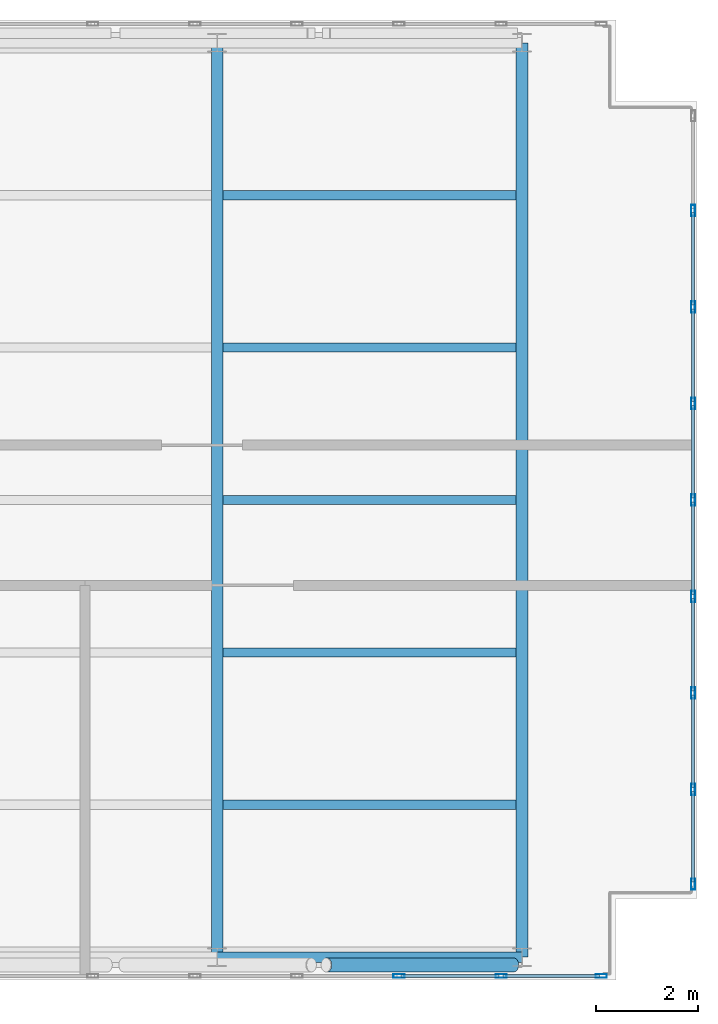
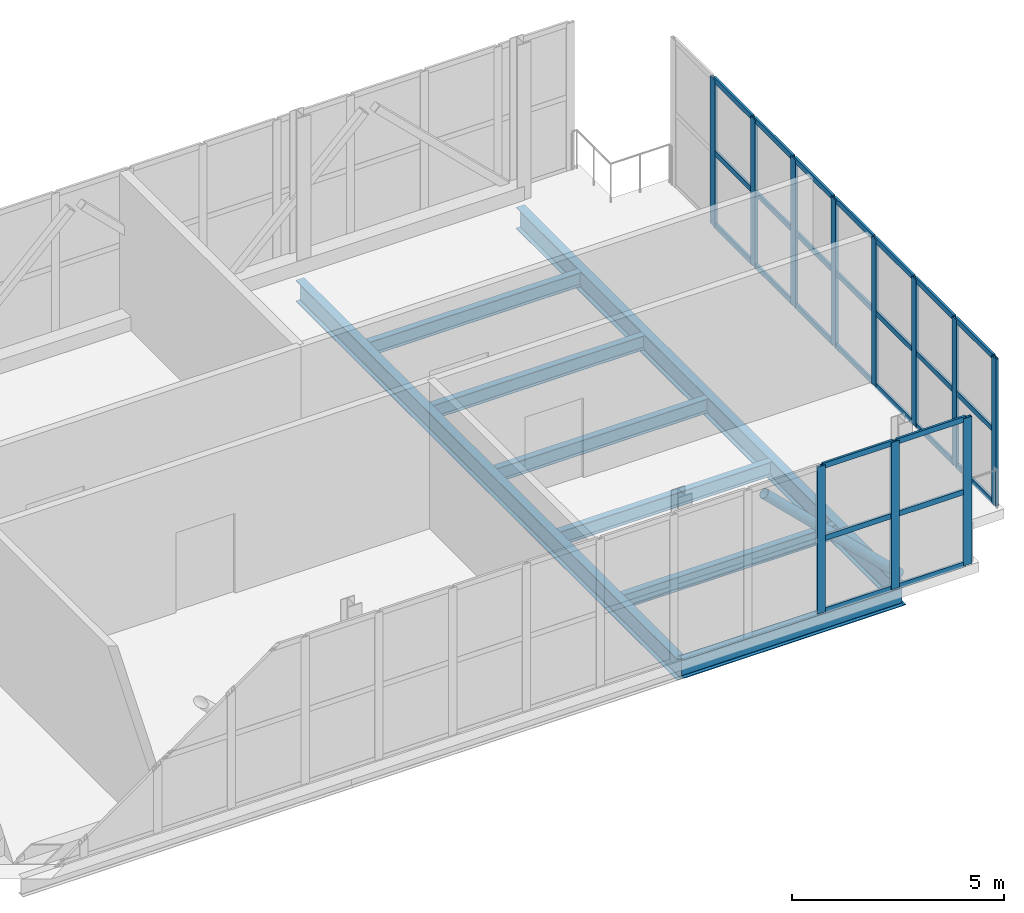
# One storey, part 14 of 21: 39 members, 8 beams, 2 elements without a shape of their own.
"""IFC4 building model written with IfcOpenShell, lengths in metres."""

import ifcopenshell
import ifcopenshell.guid

model = None  # the IFC model being written
_history = None  # IfcOwnerHistory: only IFC2X3 demands one
_inside = {}  # id of a spatial element -> (the spatial element, [elements in it])
_under = {}  # id of a project, library or spatial element -> (it, [spatial elements below it])
_declared = {}  # id of a project -> (the project, [libraries it declares])
_typed = {}  # id of a type object -> (the type object, [elements of that type])
_made_of = {}  # id of a material, layer set ... -> (it, [elements and type objects made of it])


def new_model(schema):
    """Start an empty IFC model of exactly this schema.

    Asked for "IFC4X3", IfcOpenShell would pick the latest addendum, in which some entities
    have other attributes; the version numbers below select the first issue.
    IFC2X3 requires an IfcOwnerHistory on every rooted entity: one is made here for all.
    """
    global model, _history
    if schema == "IFC4X3":
        model = ifcopenshell.file(schema_version=(4, 3, 0, 0))
    else:
        model = ifcopenshell.file(schema=schema)
    _inside.clear()
    _under.clear()
    _declared.clear()
    _typed.clear()
    _made_of.clear()
    _history = None
    if model.schema == "IFC2X3":
        org = make("IfcOrganization", Name="unknown")
        user = make(
            "IfcPersonAndOrganization",
            ThePerson=make("IfcPerson", FamilyName="unknown"),
            TheOrganization=org,
        )
        app = make(
            "IfcApplication",
            ApplicationDeveloper=org,
            Version="unknown",
            ApplicationFullName="unknown",
            ApplicationIdentifier="unknown",
        )
        _history = make(
            "IfcOwnerHistory",
            OwningUser=user,
            OwningApplication=app,
            ChangeAction="ADDED",
            CreationDate=0,
        )
    return model


def make(cls, **values):
    """One entity of the class cls with the attributes given. An attribute that is None is left unset."""
    return model.create_entity(
        cls, **{name: value for name, value in values.items() if value is not None}
    )


def rooted(cls, **values):
    """An entity with a GlobalId (a new one), such as an element, a storey or a relation."""
    return make(cls, GlobalId=ifcopenshell.guid.new(), OwnerHistory=_history, **values)


def si_unit(unit_type, name, prefix=None):
    """IfcSIUnit, for example si_unit("LENGTHUNIT", "METRE", prefix="MILLI")."""
    return make("IfcSIUnit", UnitType=unit_type, Prefix=prefix, Name=name)


def assignment(units):
    """IfcUnitAssignment: the units of a project."""
    return None if units is None else make("IfcUnitAssignment", Units=units)


def point(xyz):
    """IfcCartesianPoint."""
    return None if xyz is None else make("IfcCartesianPoint", Coordinates=xyz)


def direction(xyz):
    """IfcDirection."""
    return None if xyz is None else make("IfcDirection", DirectionRatios=xyz)


def frame(location, z_axis=None, x_axis=None):
    """IfcAxis2Placement3D, a coordinate frame: its origin and axes. An axis left out is left unset."""
    return make(
        "IfcAxis2Placement3D",
        Location=point(location),
        Axis=direction(z_axis),
        RefDirection=direction(x_axis),
    )


def frame_2d(location, x_axis=None):
    """IfcAxis2Placement2D, a coordinate frame in the plane: its origin and x axis."""
    return make(
        "IfcAxis2Placement2D", Location=point(location), RefDirection=direction(x_axis)
    )


def origin():
    """The frame at (0, 0, 0) with its axes left unset."""
    return frame((0.0, 0.0, 0.0))


def origin_2d():
    """The frame at (0, 0) in the plane with its x axis left unset."""
    return frame_2d((0.0, 0.0))


def place(relative_to, where):
    """IfcLocalPlacement: puts the frame where relative to a parent placement (None: the world)."""
    return make(
        "IfcLocalPlacement", PlacementRelTo=relative_to, RelativePlacement=where
    )


def context(
    kind, dimensions, precision=None, world=None, true_north=None, identifier=None
):
    """IfcGeometricRepresentationContext, for example the 3D "Model" context."""
    return make(
        "IfcGeometricRepresentationContext",
        ContextIdentifier=identifier,
        ContextType=kind,
        CoordinateSpaceDimension=dimensions,
        Precision=precision,
        WorldCoordinateSystem=world,
        TrueNorth=true_north,
    )


def subcontext(parent, identifier, kind, view, scale=None):
    """IfcGeometricRepresentationSubContext, for example "Body" below "Model"."""
    return make(
        "IfcGeometricRepresentationSubContext",
        ContextIdentifier=identifier,
        ContextType=kind,
        ParentContext=parent,
        TargetScale=scale,
        TargetView=view,
    )


def project(units=None, contexts=None):
    """IfcProject with its units and contexts."""
    return rooted(
        "IfcProject",
        Name="project",
        RepresentationContexts=contexts,
        UnitsInContext=assignment(units),
    )


def spatial(cls, under=None, at=None, **own):
    """A site, building, storey or space (cls), placed at a placement, below another one or the project."""
    s = rooted(cls, ObjectPlacement=at, **own)
    if under is not None:
        _under.setdefault(under.id(), (under, []))[1].append(s)
    return s


def profile(cls, at=None, kind="AREA", **sizes):
    """A parametric profile (cls). Its sizes go by their IFC names, for example OverallWidth=200.0."""
    return make(cls, ProfileType=kind, Position=at, **sizes)


def hollow_rectangle(**sizes):
    """IfcRectangleHollowProfileDef."""
    return profile("IfcRectangleHollowProfileDef", **sizes)


def hollow_circle(**sizes):
    """IfcCircleHollowProfileDef."""
    return profile("IfcCircleHollowProfileDef", **sizes)


def i_section(**sizes):
    """IfcIShapeProfileDef."""
    return profile("IfcIShapeProfileDef", **sizes)


def extrude(swept, where, along, depth):
    """IfcExtrudedAreaSolid: the profile swept, set in the frame where, extruded along a direction by depth."""
    return make(
        "IfcExtrudedAreaSolid",
        SweptArea=swept,
        Position=where,
        ExtrudedDirection=direction(along),
        Depth=depth,
    )


def shape(context_of_items, identifier, shape_type, items):
    """IfcShapeRepresentation: the items that make up one representation, for example the "Body"."""
    return make(
        "IfcShapeRepresentation",
        ContextOfItems=context_of_items,
        RepresentationIdentifier=identifier,
        RepresentationType=shape_type,
        Items=items,
    )


def material(Name=None, Category=None):
    """IfcMaterial."""
    return make("IfcMaterial", Name=Name, Category=Category)


def layer(
    of_material, thickness, ventilated=None, Name=None, Category=None, Priority=None
):
    """IfcMaterialLayer: one layer of a wall or slab, of a material (None: an air gap)."""
    return make(
        "IfcMaterialLayer",
        Material=of_material,
        LayerThickness=thickness,
        IsVentilated=ventilated,
        Name=Name,
        Category=Category,
        Priority=Priority,
    )


def layer_set(layers, Name=None):
    """IfcMaterialLayerSet."""
    return make("IfcMaterialLayerSet", MaterialLayers=layers, LayerSetName=Name)


def material_profile(
    of_material, cross_section, Name=None, Category=None, Priority=None
):
    """IfcMaterialProfile: a cross section and its material."""
    return make(
        "IfcMaterialProfile",
        Name=Name,
        Material=of_material,
        Profile=cross_section,
        Priority=Priority,
        Category=Category,
    )


def profile_set(profiles, Name=None, composite=None):
    """IfcMaterialProfileSet."""
    return make(
        "IfcMaterialProfileSet",
        Name=Name,
        MaterialProfiles=profiles,
        CompositeProfile=composite,
    )


def made_of(thing, what):
    """Note that an element or type object is made of a material, layer set ...; save() writes the relation."""
    if what is not None:
        _made_of.setdefault(what.id(), (what, []))[1].append(thing)
    return thing


def type_object(cls, material=None, **own):
    """A type object (cls), such as IfcWallType, which elements share."""
    return made_of(rooted(cls, **own), material)


def element(
    cls,
    number,
    at=None,
    inside=None,
    cuts=None,
    type_object=None,
    material=None,
    context=None,
    identifier="Body",
    shape_type=None,
    held_by="IfcProductDefinitionShape",
    body=None,
    shapes=None,
    **own,
):
    """One element of the class cls, such as IfcWall. Its Tag is "e" and its number.

    at: its placement. inside: the storey or other place that contains it. cuts: it is an
    opening in that element (IfcRelVoidsElement). A single representation is given by context,
    identifier, shape_type and body (its items); several are given by shapes. held_by: the class
    of the entity that holds the representations. save() writes the other relations.
    """
    e = rooted(cls, Tag="e%d" % number, ObjectPlacement=at, **own)
    if body is not None:
        shapes = [shape(context, identifier, shape_type, body)]
    if shapes is not None:
        e.Representation = make(held_by, Representations=shapes)
    if inside is not None:
        _inside.setdefault(inside.id(), (inside, []))[1].append(e)
    if cuts is not None:
        rooted(
            "IfcRelVoidsElement", RelatingBuildingElement=cuts, RelatedOpeningElement=e
        )
    if type_object is not None:
        _typed.setdefault(type_object.id(), (type_object, []))[1].append(e)
    return made_of(e, material)


def aggregate(whole, parts):
    """IfcRelAggregates: a whole, such as a stair, and the parts it consists of."""
    return rooted("IfcRelAggregates", RelatingObject=whole, RelatedObjects=parts)


def save(model, path):
    """Write the relations noted so far, then the file.

    IfcRelAggregates (storeys below a building ...), IfcRelContainedInSpatialStructure (elements
    in a storey), IfcRelDefinesByType, IfcRelAssociatesMaterial and IfcRelDeclares: one each for
    every whole, place, type object, material and project.
    """
    for whole, parts in _under.values():
        aggregate(whole, parts)
    for where, things in _inside.values():
        rooted(
            "IfcRelContainedInSpatialStructure",
            RelatedElements=things,
            RelatingStructure=where,
        )
    for kind, things in _typed.values():
        rooted("IfcRelDefinesByType", RelatedObjects=things, RelatingType=kind)
    for what, things in _made_of.values():
        rooted("IfcRelAssociatesMaterial", RelatedObjects=things, RelatingMaterial=what)
    for by, libraries in _declared.values():
        rooted("IfcRelDeclares", RelatingContext=by, RelatedDefinitions=libraries)
    model.write(path)


model = new_model("IFC4")

# Units and contexts
model_context = context("Model", 3, precision=1e-05, world=origin(), true_north=direction((0.0, 1.0)))
body_context = subcontext(model_context, "Body", "Model", "MODEL_VIEW")
ifc_project = project(units=[si_unit("LENGTHUNIT", "METRE"), si_unit("AREAUNIT", "SQUARE_METRE"), si_unit("VOLUMEUNIT", "CUBIC_METRE"), si_unit("PLANEANGLEUNIT", "RADIAN"), si_unit("MASSUNIT", "GRAM", prefix="KILO")], contexts=[model_context])

# Site, building, storey
site_placement = place(None, origin())
site = spatial("IfcSite", under=ifc_project, at=site_placement, CompositionType="ELEMENT")
building_placement = place(site_placement, origin())
building = spatial("IfcBuilding", under=site, at=building_placement, Name="Mawjdan Bourse Tower", CompositionType="ELEMENT")
storey_placement = place(building_placement, frame((0.0, 0.0, 317.699951171875)))
storey = spatial("IfcBuildingStorey", under=building, at=storey_placement, Name="L78", CompositionType="ELEMENT", Elevation=317.699951171875)

# Member
ifc_material_1 = material(Name="Structural Steel S355", Category="steel")
ifc_material_profile_1 = material_profile(ifc_material_1, hollow_circle(Radius=0.136474609375, WallThickness=0.012451171875, at=origin_2d()), Name="CHS273X12.5")
ifc_profile_set_1 = profile_set([ifc_material_profile_1], Name="Structural Steel S355")
member_type_1 = type_object("IfcMemberType", Name="BRC-CHS273X12.5", PredefinedType="BRACE", material=ifc_profile_set_1)
member_1_placement = place(storey_placement, frame((44.159912109375, 2.846435546875, 3.7900390625), z_axis=(0.715813788729, 0.0, -0.698291214227), x_axis=(0.0, 1.0, 0.0)))
element("IfcMember", 1, at=member_1_placement, inside=storey, type_object=member_type_1, Name="L78 Lantern Crown Braced Frame South Diagonal 6", PredefinedType="BRACE", context=body_context, shape_type="SweptSolid", body=[
    extrude(hollow_circle(Radius=0.136474609375, WallThickness=0.012451171875, at=origin_2d()), origin(), (0.0, 0.0, 1.0), 5.141357421875),
])

# Beams
ifc_material_profile_2 = material_profile(ifc_material_1, i_section(OverallWidth=0.22998046875, OverallDepth=0.616943359375, WebThickness=0.01318359375, FlangeThickness=0.022216796875, FilletRadius=0.017822265625, at=origin_2d()), Name="W24X94")
ifc_profile_set_2 = profile_set([ifc_material_profile_2], Name="Structural Steel S355")
beam_type_1 = type_object("IfcBeamType", Name="GRD-W24X94", PredefinedType="BEAM", material=ifc_profile_set_2)
for number, where, z_axis, x_axis, name in (
    (2, (42.0, 3.0, -0.58837890625), (0.0, 1.0, 0.0), (-1.0, 0.0, 0.0), "L78 East Wing Clear-Span Girder 003"),
    (3, (48.0, 3.0, -0.58837890625), (0.0, 1.0, 0.0), (-1.0, 0.0, 0.0), "L78 East Wing Clear-Span Girder 004"),
):
    element("IfcBeam", number, at=place(storey_placement, frame(where, z_axis=z_axis, x_axis=x_axis)), inside=storey, type_object=beam_type_1, Name=name, PredefinedType="BEAM", context=body_context, shape_type="SweptSolid", body=[
        extrude(i_section(OverallWidth=0.22998046875, OverallDepth=0.616943359375, WebThickness=0.01318359375, FlangeThickness=0.022216796875, FilletRadius=0.017822265625, at=origin_2d()), origin(), (0.0, 0.0, 1.0), 18.0),
    ])
ifc_material_profile_3 = material_profile(ifc_material_1, i_section(OverallWidth=0.177978515625, OverallDepth=0.406982421875, WebThickness=0.0078125, FlangeThickness=0.0126953125, FilletRadius=0.01025390625, at=origin_2d()), Name="W16X40")
ifc_profile_set_3 = profile_set([ifc_material_profile_3], Name="Structural Steel S355")
beam_type_2 = type_object("IfcBeamType", Name="JST-W16X40", PredefinedType="JOIST", material=ifc_profile_set_3)
for number, where, z_axis, x_axis, name in (
    (4, (42.113037109375, 6.0, -0.4833984375), (1.0, 0.0, 0.0), (0.0, 1.0, 0.0), "L78 East Wing Composite Joist 013"),
    (5, (42.113037109375, 9.0, -0.4833984375), (1.0, 0.0, 0.0), (0.0, 1.0, 0.0), "L78 East Wing Composite Joist 016"),
    (6, (42.113037109375, 12.0, -0.4833984375), (1.0, 0.0, 0.0), (0.0, 1.0, 0.0), "L78 East Wing Composite Joist 019"),
    (7, (42.113037109375, 15.0, -0.4833984375), (1.0, 0.0, 0.0), (0.0, 1.0, 0.0), "L78 East Wing Composite Joist 022"),
    (8, (42.113037109375, 18.0, -0.4833984375), (1.0, 0.0, 0.0), (0.0, 1.0, 0.0), "L78 East Wing Composite Joist 025"),
):
    element("IfcBeam", number, at=place(storey_placement, frame(where, z_axis=z_axis, x_axis=x_axis)), inside=storey, type_object=beam_type_2, Name=name, PredefinedType="JOIST", context=body_context, shape_type="SweptSolid", body=[
        extrude(i_section(OverallWidth=0.177978515625, OverallDepth=0.406982421875, WebThickness=0.0078125, FlangeThickness=0.0126953125, FilletRadius=0.01025390625, at=origin_2d()), origin(), (0.0, 0.0, 1.0), 5.77392578125),
    ])

# Curtain wall, members
ifc_material_2 = material(Name="Thermally Broken Aluminium and Solar Glass", Category="aluminium")
ifc_layer = layer(ifc_material_2, 0.219970703125)
ifc_layer_set = layer_set([ifc_layer], Name="Thermally Broken Aluminium and Solar Glass")
curtain_wall_type = type_object("IfcCurtainWallType", Name="CW-CRN", PredefinedType="USERDEFINED", material=ifc_layer_set)
curtain_wall_1_placement = place(storey_placement, origin())
curtain_wall_1 = element("IfcCurtainWall", 9, at=curtain_wall_1_placement, inside=storey, type_object=curtain_wall_type, Name="L78 Lantern Crown South Curtain Wall", ObjectType="LANTERN GLAZED CROWN", PredefinedType="USERDEFINED")
ifc_material_3 = material(Name="Thermally Broken Anodised Aluminium", Category="aluminium")
ifc_material_profile_4 = material_profile(ifc_material_3, hollow_rectangle(XDim=0.074951171875, YDim=0.219970703125, WallThickness=0.0048828125, at=origin_2d()), Name="ALU-MUL-220X75")
ifc_profile_set_4 = profile_set([ifc_material_profile_4], Name="Thermally Broken Anodised Aluminium")
member_type_2 = type_object("IfcMemberType", Name="MUL-ALU-MUL-220X75", PredefinedType="MULLION", material=ifc_profile_set_4)
member_2_placement = place(storey_placement, frame((45.5810546875, 2.6298828125, 0.0), z_axis=(0.0, 0.0, 1.0), x_axis=(0.0, 1.0, 0.0)))
member_2 = element("IfcMember", 10, at=member_2_placement, type_object=member_type_2, Name="CW-CRN-L78-CRN-S mullion 20", PredefinedType="MULLION", context=body_context, shape_type="SweptSolid", body=[
    extrude(hollow_rectangle(XDim=0.074951171875, YDim=0.219970703125, WallThickness=0.0048828125, at=origin_2d()), origin(), (0.0, 0.0, 1.0), 4.239990234375),
])
member_3_placement = place(storey_placement, frame((47.590576171875, 2.6298828125, 0.0), z_axis=(0.0, 0.0, 1.0), x_axis=(0.0, 1.0, 0.0)))
member_3 = element("IfcMember", 11, at=member_3_placement, type_object=member_type_2, Name="CW-CRN-L78-CRN-S mullion 21", PredefinedType="MULLION", context=body_context, shape_type="SweptSolid", body=[
    extrude(hollow_rectangle(XDim=0.074951171875, YDim=0.219970703125, WallThickness=0.0048828125, at=origin_2d()), origin(), (0.0, 0.0, 1.0), 4.239990234375),
])
member_4_placement = place(storey_placement, frame((49.5625, 2.6298828125, 0.0), z_axis=(0.0, 0.0, 1.0), x_axis=(0.0, 1.0, 0.0)))
member_4 = element("IfcMember", 12, at=member_4_placement, type_object=member_type_2, Name="CW-CRN-L78-CRN-S mullion 22", PredefinedType="MULLION", context=body_context, shape_type="SweptSolid", body=[
    extrude(hollow_rectangle(XDim=0.074951171875, YDim=0.219970703125, WallThickness=0.0048828125, at=origin_2d()), origin(), (0.0, 0.0, 1.0), 4.239990234375),
])

curtain_wall_2_placement = place(storey_placement, origin())
curtain_wall_2 = element("IfcCurtainWall", 13, at=curtain_wall_2_placement, inside=storey, type_object=curtain_wall_type, Name="L78 Lantern Crown East Curtain Wall", ObjectType="LANTERN GLAZED CROWN", PredefinedType="USERDEFINED")
member_5_placement = place(storey_placement, frame((51.3701171875, 4.4375, 0.0), z_axis=(0.0, 0.0, 1.0), x_axis=(-1.0, 0.0, 0.0)))
member_5 = element("IfcMember", 14, at=member_5_placement, type_object=member_type_2, Name="CW-CRN-L78-CRN-E mullion 1", PredefinedType="MULLION", context=body_context, shape_type="SweptSolid", body=[
    extrude(hollow_rectangle(XDim=0.074951171875, YDim=0.219970703125, WallThickness=0.0048828125, at=origin_2d()), origin(), (0.0, 0.0, 1.0), 4.239990234375),
])
member_6_placement = place(storey_placement, frame((51.3701171875, 6.300048828125, 0.0), z_axis=(0.0, 0.0, 1.0), x_axis=(-1.0, 0.0, 0.0)))
member_6 = element("IfcMember", 15, at=member_6_placement, type_object=member_type_2, Name="CW-CRN-L78-CRN-E mullion 2", PredefinedType="MULLION", context=body_context, shape_type="SweptSolid", body=[
    extrude(hollow_rectangle(XDim=0.074951171875, YDim=0.219970703125, WallThickness=0.0048828125, at=origin_2d()), origin(), (0.0, 0.0, 1.0), 4.239990234375),
])
member_7_placement = place(storey_placement, frame((51.3701171875, 8.199951171875, 0.0), z_axis=(0.0, 0.0, 1.0), x_axis=(-1.0, 0.0, 0.0)))
member_7 = element("IfcMember", 16, at=member_7_placement, type_object=member_type_2, Name="CW-CRN-L78-CRN-E mullion 3", PredefinedType="MULLION", context=body_context, shape_type="SweptSolid", body=[
    extrude(hollow_rectangle(XDim=0.074951171875, YDim=0.219970703125, WallThickness=0.0048828125, at=origin_2d()), origin(), (0.0, 0.0, 1.0), 4.239990234375),
])
member_8_placement = place(storey_placement, frame((51.3701171875, 10.10009765625, 0.0), z_axis=(0.0, 0.0, 1.0), x_axis=(-1.0, 0.0, 0.0)))
member_8 = element("IfcMember", 17, at=member_8_placement, type_object=member_type_2, Name="CW-CRN-L78-CRN-E mullion 4", PredefinedType="MULLION", context=body_context, shape_type="SweptSolid", body=[
    extrude(hollow_rectangle(XDim=0.074951171875, YDim=0.219970703125, WallThickness=0.0048828125, at=origin_2d()), origin(), (0.0, 0.0, 1.0), 4.239990234375),
])
member_9_placement = place(storey_placement, frame((51.3701171875, 12.0, 0.0), z_axis=(0.0, 0.0, 1.0), x_axis=(-1.0, 0.0, 0.0)))
member_9 = element("IfcMember", 18, at=member_9_placement, type_object=member_type_2, Name="CW-CRN-L78-CRN-E mullion 5", PredefinedType="MULLION", context=body_context, shape_type="SweptSolid", body=[
    extrude(hollow_rectangle(XDim=0.074951171875, YDim=0.219970703125, WallThickness=0.0048828125, at=origin_2d()), origin(), (0.0, 0.0, 1.0), 4.239990234375),
])
member_10_placement = place(storey_placement, frame((51.3701171875, 13.89990234375, 0.0), z_axis=(0.0, 0.0, 1.0), x_axis=(-1.0, 0.0, 0.0)))
member_10 = element("IfcMember", 19, at=member_10_placement, type_object=member_type_2, Name="CW-CRN-L78-CRN-E mullion 6", PredefinedType="MULLION", context=body_context, shape_type="SweptSolid", body=[
    extrude(hollow_rectangle(XDim=0.074951171875, YDim=0.219970703125, WallThickness=0.0048828125, at=origin_2d()), origin(), (0.0, 0.0, 1.0), 4.239990234375),
])
member_11_placement = place(storey_placement, frame((51.3701171875, 15.800048828125, 0.0), z_axis=(0.0, 0.0, 1.0), x_axis=(-1.0, 0.0, 0.0)))
member_11 = element("IfcMember", 20, at=member_11_placement, type_object=member_type_2, Name="CW-CRN-L78-CRN-E mullion 7", PredefinedType="MULLION", context=body_context, shape_type="SweptSolid", body=[
    extrude(hollow_rectangle(XDim=0.074951171875, YDim=0.219970703125, WallThickness=0.0048828125, at=origin_2d()), origin(), (0.0, 0.0, 1.0), 4.239990234375),
])
member_12_placement = place(storey_placement, frame((51.3701171875, 17.699951171875, 0.0), z_axis=(0.0, 0.0, 1.0), x_axis=(-1.0, 0.0, 0.0)))
member_12 = element("IfcMember", 21, at=member_12_placement, type_object=member_type_2, Name="CW-CRN-L78-CRN-E mullion 8", PredefinedType="MULLION", context=body_context, shape_type="SweptSolid", body=[
    extrude(hollow_rectangle(XDim=0.074951171875, YDim=0.219970703125, WallThickness=0.0048828125, at=origin_2d()), origin(), (0.0, 0.0, 1.0), 4.239990234375),
])

# Beam
ifc_material_profile_5 = material_profile(ifc_material_1, i_section(OverallWidth=0.2099609375, OverallDepth=0.537109375, WebThickness=0.010986328125, FlangeThickness=0.017333984375, FilletRadius=0.013916015625, at=origin_2d()), Name="W21X68")
ifc_profile_set_5 = profile_set([ifc_material_profile_5], Name="Structural Steel S355")
beam_type_3 = type_object("IfcBeamType", Name="SPN-W21X68", PredefinedType="SPANDREL", material=ifc_profile_set_5)
beam_placement = place(storey_placement, frame((42.0, 3.0, -0.54833984375), z_axis=(1.0, 0.0, 0.0), x_axis=(0.0, 1.0, 0.0)))
element("IfcBeam", 22, at=beam_placement, inside=storey, type_object=beam_type_3, Name="L78 Perimeter Masonry-Shelf Spandrel 007", PredefinedType="SPANDREL", context=body_context, shape_type="SweptSolid", body=[
    extrude(i_section(OverallWidth=0.2099609375, OverallDepth=0.537109375, WebThickness=0.010986328125, FlangeThickness=0.017333984375, FilletRadius=0.013916015625, at=origin_2d()), origin(), (0.0, 0.0, 1.0), 6.0),
])

# Member
ifc_material_profile_6 = material_profile(ifc_material_3, hollow_rectangle(XDim=0.06005859375, YDim=0.155029296875, WallThickness=0.00390625, at=origin_2d()), Name="ALU-TRN-155X60")
ifc_profile_set_6 = profile_set([ifc_material_profile_6], Name="Thermally Broken Anodised Aluminium")
member_type_3 = type_object("IfcMemberType", Name="TRN-ALU-TRN-155X60", PredefinedType="USERDEFINED", material=ifc_profile_set_6)
member_13_placement = place(storey_placement, frame((45.618408203125, 2.6298828125, 0.030029296875), z_axis=(1.0, 0.0, 0.0), x_axis=(0.0, 1.0, 0.0)))
member_13 = element("IfcMember", 23, at=member_13_placement, type_object=member_type_3, Name="CW-CRN-L78-CRN-S transom 20.1", ObjectType="TRANSOM", PredefinedType="USERDEFINED", context=body_context, shape_type="SweptSolid", body=[
    extrude(hollow_rectangle(XDim=0.06005859375, YDim=0.155029296875, WallThickness=0.00390625, at=origin_2d()), origin(), (0.0, 0.0, 1.0), 1.9345703125),
])

member_14_placement = place(storey_placement, frame((45.618408203125, 2.6298828125, 2.1201171875), z_axis=(1.0, 0.0, 0.0), x_axis=(0.0, 1.0, 0.0)))
member_14 = element("IfcMember", 24, at=member_14_placement, type_object=member_type_3, Name="CW-CRN-L78-CRN-S transom 20.2", ObjectType="TRANSOM", PredefinedType="USERDEFINED", context=body_context, shape_type="SweptSolid", body=[
    extrude(hollow_rectangle(XDim=0.06005859375, YDim=0.155029296875, WallThickness=0.00390625, at=origin_2d()), origin(), (0.0, 0.0, 1.0), 1.9345703125),
])

member_15_placement = place(storey_placement, frame((45.618408203125, 2.6298828125, 4.2099609375), z_axis=(1.0, 0.0, 0.0), x_axis=(0.0, 1.0, 0.0)))
member_15 = element("IfcMember", 25, at=member_15_placement, type_object=member_type_3, Name="CW-CRN-L78-CRN-S transom 20.3", ObjectType="TRANSOM", PredefinedType="USERDEFINED", context=body_context, shape_type="SweptSolid", body=[
    extrude(hollow_rectangle(XDim=0.06005859375, YDim=0.155029296875, WallThickness=0.00390625, at=origin_2d()), origin(), (0.0, 0.0, 1.0), 1.9345703125),
])

member_16_placement = place(storey_placement, frame((47.6279296875, 2.6298828125, 0.030029296875), z_axis=(1.0, 0.0, 0.0), x_axis=(0.0, 1.0, 0.0)))
member_16 = element("IfcMember", 26, at=member_16_placement, type_object=member_type_3, Name="CW-CRN-L78-CRN-S transom 21.1", ObjectType="TRANSOM", PredefinedType="USERDEFINED", context=body_context, shape_type="SweptSolid", body=[
    extrude(hollow_rectangle(XDim=0.06005859375, YDim=0.155029296875, WallThickness=0.00390625, at=origin_2d()), origin(), (0.0, 0.0, 1.0), 1.89697265625),
])

member_17_placement = place(storey_placement, frame((47.6279296875, 2.6298828125, 2.1201171875), z_axis=(1.0, 0.0, 0.0), x_axis=(0.0, 1.0, 0.0)))
member_17 = element("IfcMember", 27, at=member_17_placement, type_object=member_type_3, Name="CW-CRN-L78-CRN-S transom 21.2", ObjectType="TRANSOM", PredefinedType="USERDEFINED", context=body_context, shape_type="SweptSolid", body=[
    extrude(hollow_rectangle(XDim=0.06005859375, YDim=0.155029296875, WallThickness=0.00390625, at=origin_2d()), origin(), (0.0, 0.0, 1.0), 1.89697265625),
])

member_18_placement = place(storey_placement, frame((47.6279296875, 2.6298828125, 4.2099609375), z_axis=(1.0, 0.0, 0.0), x_axis=(0.0, 1.0, 0.0)))
member_18 = element("IfcMember", 28, at=member_18_placement, type_object=member_type_3, Name="CW-CRN-L78-CRN-S transom 21.3", ObjectType="TRANSOM", PredefinedType="USERDEFINED", context=body_context, shape_type="SweptSolid", body=[
    extrude(hollow_rectangle(XDim=0.06005859375, YDim=0.155029296875, WallThickness=0.00390625, at=origin_2d()), origin(), (0.0, 0.0, 1.0), 1.89697265625),
])

aggregate(curtain_wall_1, [member_2, member_3, member_4, member_13, member_14, member_15, member_16, member_17, member_18])

member_19_placement = place(storey_placement, frame((51.3701171875, 4.47509765625, 0.030029296875), z_axis=(0.0, 1.0, 0.0), x_axis=(-1.0, 0.0, 0.0)))
member_19 = element("IfcMember", 29, at=member_19_placement, type_object=member_type_3, Name="CW-CRN-L78-CRN-E transom 1.1", ObjectType="TRANSOM", PredefinedType="USERDEFINED", context=body_context, shape_type="SweptSolid", body=[
    extrude(hollow_rectangle(XDim=0.06005859375, YDim=0.155029296875, WallThickness=0.00390625, at=origin_2d()), origin(), (0.0, 0.0, 1.0), 1.787353515625),
])

member_20_placement = place(storey_placement, frame((51.3701171875, 4.47509765625, 2.1201171875), z_axis=(0.0, 1.0, 0.0), x_axis=(-1.0, 0.0, 0.0)))
member_20 = element("IfcMember", 30, at=member_20_placement, type_object=member_type_3, Name="CW-CRN-L78-CRN-E transom 1.2", ObjectType="TRANSOM", PredefinedType="USERDEFINED", context=body_context, shape_type="SweptSolid", body=[
    extrude(hollow_rectangle(XDim=0.06005859375, YDim=0.155029296875, WallThickness=0.00390625, at=origin_2d()), origin(), (0.0, 0.0, 1.0), 1.787353515625),
])

member_21_placement = place(storey_placement, frame((51.3701171875, 4.47509765625, 4.2099609375), z_axis=(0.0, 1.0, 0.0), x_axis=(-1.0, 0.0, 0.0)))
member_21 = element("IfcMember", 31, at=member_21_placement, type_object=member_type_3, Name="CW-CRN-L78-CRN-E transom 1.3", ObjectType="TRANSOM", PredefinedType="USERDEFINED", context=body_context, shape_type="SweptSolid", body=[
    extrude(hollow_rectangle(XDim=0.06005859375, YDim=0.155029296875, WallThickness=0.00390625, at=origin_2d()), origin(), (0.0, 0.0, 1.0), 1.787353515625),
])

member_22_placement = place(storey_placement, frame((51.3701171875, 6.33740234375, 0.030029296875), z_axis=(0.0, 1.0, 0.0), x_axis=(-1.0, 0.0, 0.0)))
member_22 = element("IfcMember", 32, at=member_22_placement, type_object=member_type_3, Name="CW-CRN-L78-CRN-E transom 2.1", ObjectType="TRANSOM", PredefinedType="USERDEFINED", context=body_context, shape_type="SweptSolid", body=[
    extrude(hollow_rectangle(XDim=0.06005859375, YDim=0.155029296875, WallThickness=0.00390625, at=origin_2d()), origin(), (0.0, 0.0, 1.0), 1.8251953125),
])

member_23_placement = place(storey_placement, frame((51.3701171875, 6.33740234375, 2.1201171875), z_axis=(0.0, 1.0, 0.0), x_axis=(-1.0, 0.0, 0.0)))
member_23 = element("IfcMember", 33, at=member_23_placement, type_object=member_type_3, Name="CW-CRN-L78-CRN-E transom 2.2", ObjectType="TRANSOM", PredefinedType="USERDEFINED", context=body_context, shape_type="SweptSolid", body=[
    extrude(hollow_rectangle(XDim=0.06005859375, YDim=0.155029296875, WallThickness=0.00390625, at=origin_2d()), origin(), (0.0, 0.0, 1.0), 1.8251953125),
])

member_24_placement = place(storey_placement, frame((51.3701171875, 6.33740234375, 4.2099609375), z_axis=(0.0, 1.0, 0.0), x_axis=(-1.0, 0.0, 0.0)))
member_24 = element("IfcMember", 34, at=member_24_placement, type_object=member_type_3, Name="CW-CRN-L78-CRN-E transom 2.3", ObjectType="TRANSOM", PredefinedType="USERDEFINED", context=body_context, shape_type="SweptSolid", body=[
    extrude(hollow_rectangle(XDim=0.06005859375, YDim=0.155029296875, WallThickness=0.00390625, at=origin_2d()), origin(), (0.0, 0.0, 1.0), 1.8251953125),
])

member_25_placement = place(storey_placement, frame((51.3701171875, 8.237548828125, 0.030029296875), z_axis=(0.0, 1.0, 0.0), x_axis=(-1.0, 0.0, 0.0)))
member_25 = element("IfcMember", 35, at=member_25_placement, type_object=member_type_3, Name="CW-CRN-L78-CRN-E transom 3.1", ObjectType="TRANSOM", PredefinedType="USERDEFINED", context=body_context, shape_type="SweptSolid", body=[
    extrude(hollow_rectangle(XDim=0.06005859375, YDim=0.155029296875, WallThickness=0.00390625, at=origin_2d()), origin(), (0.0, 0.0, 1.0), 1.824951171875),
])

member_26_placement = place(storey_placement, frame((51.3701171875, 8.237548828125, 2.1201171875), z_axis=(0.0, 1.0, 0.0), x_axis=(-1.0, 0.0, 0.0)))
member_26 = element("IfcMember", 36, at=member_26_placement, type_object=member_type_3, Name="CW-CRN-L78-CRN-E transom 3.2", ObjectType="TRANSOM", PredefinedType="USERDEFINED", context=body_context, shape_type="SweptSolid", body=[
    extrude(hollow_rectangle(XDim=0.06005859375, YDim=0.155029296875, WallThickness=0.00390625, at=origin_2d()), origin(), (0.0, 0.0, 1.0), 1.824951171875),
])

member_27_placement = place(storey_placement, frame((51.3701171875, 8.237548828125, 4.2099609375), z_axis=(0.0, 1.0, 0.0), x_axis=(-1.0, 0.0, 0.0)))
member_27 = element("IfcMember", 37, at=member_27_placement, type_object=member_type_3, Name="CW-CRN-L78-CRN-E transom 3.3", ObjectType="TRANSOM", PredefinedType="USERDEFINED", context=body_context, shape_type="SweptSolid", body=[
    extrude(hollow_rectangle(XDim=0.06005859375, YDim=0.155029296875, WallThickness=0.00390625, at=origin_2d()), origin(), (0.0, 0.0, 1.0), 1.824951171875),
])

member_28_placement = place(storey_placement, frame((51.3701171875, 10.137451171875, 0.030029296875), z_axis=(0.0, 1.0, 0.0), x_axis=(-1.0, 0.0, 0.0)))
member_28 = element("IfcMember", 38, at=member_28_placement, type_object=member_type_3, Name="CW-CRN-L78-CRN-E transom 4.1", ObjectType="TRANSOM", PredefinedType="USERDEFINED", context=body_context, shape_type="SweptSolid", body=[
    extrude(hollow_rectangle(XDim=0.06005859375, YDim=0.155029296875, WallThickness=0.00390625, at=origin_2d()), origin(), (0.0, 0.0, 1.0), 1.824951171875),
])

member_29_placement = place(storey_placement, frame((51.3701171875, 10.137451171875, 2.1201171875), z_axis=(0.0, 1.0, 0.0), x_axis=(-1.0, 0.0, 0.0)))
member_29 = element("IfcMember", 39, at=member_29_placement, type_object=member_type_3, Name="CW-CRN-L78-CRN-E transom 4.2", ObjectType="TRANSOM", PredefinedType="USERDEFINED", context=body_context, shape_type="SweptSolid", body=[
    extrude(hollow_rectangle(XDim=0.06005859375, YDim=0.155029296875, WallThickness=0.00390625, at=origin_2d()), origin(), (0.0, 0.0, 1.0), 1.824951171875),
])

member_30_placement = place(storey_placement, frame((51.3701171875, 10.137451171875, 4.2099609375), z_axis=(0.0, 1.0, 0.0), x_axis=(-1.0, 0.0, 0.0)))
member_30 = element("IfcMember", 40, at=member_30_placement, type_object=member_type_3, Name="CW-CRN-L78-CRN-E transom 4.3", ObjectType="TRANSOM", PredefinedType="USERDEFINED", context=body_context, shape_type="SweptSolid", body=[
    extrude(hollow_rectangle(XDim=0.06005859375, YDim=0.155029296875, WallThickness=0.00390625, at=origin_2d()), origin(), (0.0, 0.0, 1.0), 1.824951171875),
])

member_31_placement = place(storey_placement, frame((51.3701171875, 12.03759765625, 0.030029296875), z_axis=(0.0, 1.0, 0.0), x_axis=(-1.0, 0.0, 0.0)))
member_31 = element("IfcMember", 41, at=member_31_placement, type_object=member_type_3, Name="CW-CRN-L78-CRN-E transom 5.1", ObjectType="TRANSOM", PredefinedType="USERDEFINED", context=body_context, shape_type="SweptSolid", body=[
    extrude(hollow_rectangle(XDim=0.06005859375, YDim=0.155029296875, WallThickness=0.00390625, at=origin_2d()), origin(), (0.0, 0.0, 1.0), 1.824951171875),
])

member_32_placement = place(storey_placement, frame((51.3701171875, 12.03759765625, 2.1201171875), z_axis=(0.0, 1.0, 0.0), x_axis=(-1.0, 0.0, 0.0)))
member_32 = element("IfcMember", 42, at=member_32_placement, type_object=member_type_3, Name="CW-CRN-L78-CRN-E transom 5.2", ObjectType="TRANSOM", PredefinedType="USERDEFINED", context=body_context, shape_type="SweptSolid", body=[
    extrude(hollow_rectangle(XDim=0.06005859375, YDim=0.155029296875, WallThickness=0.00390625, at=origin_2d()), origin(), (0.0, 0.0, 1.0), 1.824951171875),
])

member_33_placement = place(storey_placement, frame((51.3701171875, 12.03759765625, 4.2099609375), z_axis=(0.0, 1.0, 0.0), x_axis=(-1.0, 0.0, 0.0)))
member_33 = element("IfcMember", 43, at=member_33_placement, type_object=member_type_3, Name="CW-CRN-L78-CRN-E transom 5.3", ObjectType="TRANSOM", PredefinedType="USERDEFINED", context=body_context, shape_type="SweptSolid", body=[
    extrude(hollow_rectangle(XDim=0.06005859375, YDim=0.155029296875, WallThickness=0.00390625, at=origin_2d()), origin(), (0.0, 0.0, 1.0), 1.824951171875),
])

member_34_placement = place(storey_placement, frame((51.3701171875, 13.9375, 0.030029296875), z_axis=(0.0, 1.0, 0.0), x_axis=(-1.0, 0.0, 0.0)))
member_34 = element("IfcMember", 44, at=member_34_placement, type_object=member_type_3, Name="CW-CRN-L78-CRN-E transom 6.1", ObjectType="TRANSOM", PredefinedType="USERDEFINED", context=body_context, shape_type="SweptSolid", body=[
    extrude(hollow_rectangle(XDim=0.06005859375, YDim=0.155029296875, WallThickness=0.00390625, at=origin_2d()), origin(), (0.0, 0.0, 1.0), 1.824951171875),
])

member_35_placement = place(storey_placement, frame((51.3701171875, 13.9375, 2.1201171875), z_axis=(0.0, 1.0, 0.0), x_axis=(-1.0, 0.0, 0.0)))
member_35 = element("IfcMember", 45, at=member_35_placement, type_object=member_type_3, Name="CW-CRN-L78-CRN-E transom 6.2", ObjectType="TRANSOM", PredefinedType="USERDEFINED", context=body_context, shape_type="SweptSolid", body=[
    extrude(hollow_rectangle(XDim=0.06005859375, YDim=0.155029296875, WallThickness=0.00390625, at=origin_2d()), origin(), (0.0, 0.0, 1.0), 1.824951171875),
])

member_36_placement = place(storey_placement, frame((51.3701171875, 13.9375, 4.2099609375), z_axis=(0.0, 1.0, 0.0), x_axis=(-1.0, 0.0, 0.0)))
member_36 = element("IfcMember", 46, at=member_36_placement, type_object=member_type_3, Name="CW-CRN-L78-CRN-E transom 6.3", ObjectType="TRANSOM", PredefinedType="USERDEFINED", context=body_context, shape_type="SweptSolid", body=[
    extrude(hollow_rectangle(XDim=0.06005859375, YDim=0.155029296875, WallThickness=0.00390625, at=origin_2d()), origin(), (0.0, 0.0, 1.0), 1.824951171875),
])

member_37_placement = place(storey_placement, frame((51.3701171875, 15.83740234375, 0.030029296875), z_axis=(0.0, 1.0, 0.0), x_axis=(-1.0, 0.0, 0.0)))
member_37 = element("IfcMember", 47, at=member_37_placement, type_object=member_type_3, Name="CW-CRN-L78-CRN-E transom 7.1", ObjectType="TRANSOM", PredefinedType="USERDEFINED", context=body_context, shape_type="SweptSolid", body=[
    extrude(hollow_rectangle(XDim=0.06005859375, YDim=0.155029296875, WallThickness=0.00390625, at=origin_2d()), origin(), (0.0, 0.0, 1.0), 1.8251953125),
])

member_38_placement = place(storey_placement, frame((51.3701171875, 15.83740234375, 2.1201171875), z_axis=(0.0, 1.0, 0.0), x_axis=(-1.0, 0.0, 0.0)))
member_38 = element("IfcMember", 48, at=member_38_placement, type_object=member_type_3, Name="CW-CRN-L78-CRN-E transom 7.2", ObjectType="TRANSOM", PredefinedType="USERDEFINED", context=body_context, shape_type="SweptSolid", body=[
    extrude(hollow_rectangle(XDim=0.06005859375, YDim=0.155029296875, WallThickness=0.00390625, at=origin_2d()), origin(), (0.0, 0.0, 1.0), 1.8251953125),
])

member_39_placement = place(storey_placement, frame((51.3701171875, 15.83740234375, 4.2099609375), z_axis=(0.0, 1.0, 0.0), x_axis=(-1.0, 0.0, 0.0)))
member_39 = element("IfcMember", 49, at=member_39_placement, type_object=member_type_3, Name="CW-CRN-L78-CRN-E transom 7.3", ObjectType="TRANSOM", PredefinedType="USERDEFINED", context=body_context, shape_type="SweptSolid", body=[
    extrude(hollow_rectangle(XDim=0.06005859375, YDim=0.155029296875, WallThickness=0.00390625, at=origin_2d()), origin(), (0.0, 0.0, 1.0), 1.8251953125),
])

aggregate(curtain_wall_2, [member_5, member_6, member_7, member_8, member_9, member_10, member_11, member_12, member_19, member_20, member_21, member_22, member_23, member_24, member_25, member_26, member_27, member_28, member_29, member_30, member_31, member_32, member_33, member_34, member_35, member_36, member_37, member_38, member_39])

save(model, "model.ifc")
